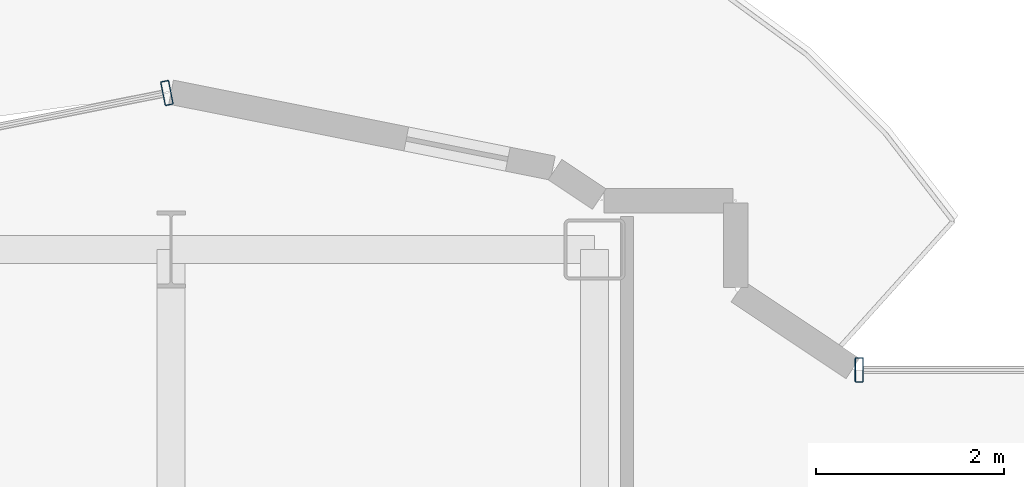
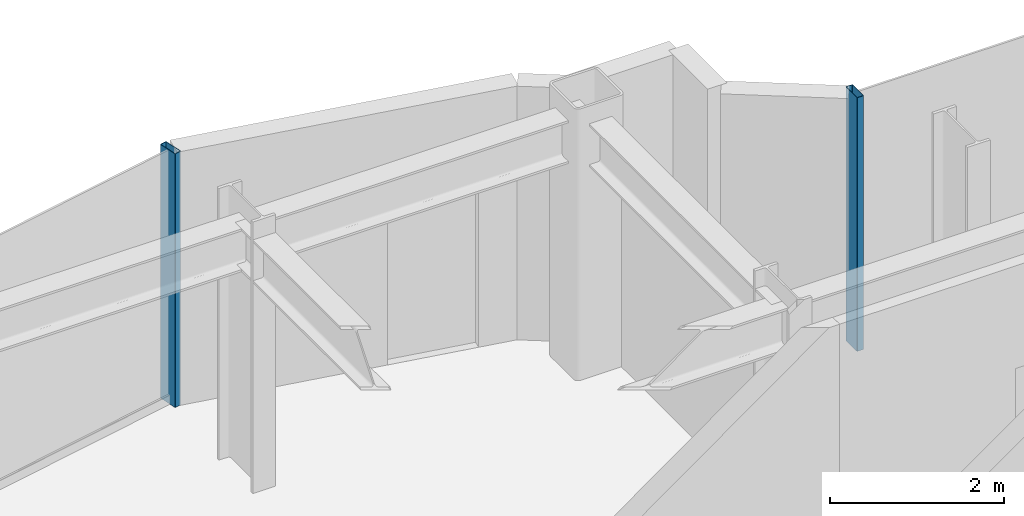
# One storey, part 10 of 21: 2 members, 2 elements without a shape of their own.
"""IFC4 building model written with IfcOpenShell, lengths in metres."""

from ifc_helpers import new_model, si_unit, direction, frame, origin, origin_2d, place, context, subcontext, project, spatial, hollow_rectangle, extrude, source, transform, mapped, material, layer, layer_set, material_profile, profile_set, type_object, element, aggregate, save


model = new_model("IFC4")

# Units and contexts
model_context = context("Model", 3, precision=1e-05, world=origin(), true_north=direction((0.0, 1.0)))
body_context = subcontext(model_context, "Body", "Model", "MODEL_VIEW")
ifc_project = project(units=[si_unit("LENGTHUNIT", "METRE"), si_unit("AREAUNIT", "SQUARE_METRE"), si_unit("VOLUMEUNIT", "CUBIC_METRE"), si_unit("PLANEANGLEUNIT", "RADIAN"), si_unit("MASSUNIT", "GRAM", prefix="KILO")], contexts=[model_context])

# Site, building, storey
site_placement = place(None, origin())
site = spatial("IfcSite", under=ifc_project, at=site_placement, CompositionType="ELEMENT")
building_placement = place(site_placement, origin())
building = spatial("IfcBuilding", under=site, at=building_placement, Name="Nefas-Gora Pilgrimage Tower", CompositionType="ELEMENT")
storey_placement = place(building_placement, frame((0.0, 0.0, 210.39990234375)))
storey = spatial("IfcBuildingStorey", under=building, at=storey_placement, Name="L52", CompositionType="ELEMENT", Elevation=210.39990234375)

# Curtain wall, member
ifc_material_1 = material(Name="Dark ceramic-fritted solar-control aluminium-glass curtain wall", Category="aluminium")
ifc_layer = layer(ifc_material_1, 0.219970703125)
ifc_layer_set = layer_set([ifc_layer], Name="Dark ceramic-fritted solar-control aluminium-glass curtain wall")
curtain_wall_type = type_object("IfcCurtainWallType", Name="CW-SYS-5", PredefinedType="NOTDEFINED", material=ifc_layer_set)
curtain_wall_1_placement = place(storey_placement, origin())
curtain_wall_1 = element("IfcCurtainWall", 1, at=curtain_wall_1_placement, inside=storey, type_object=curtain_wall_type, Name="L52 Unitised Curtain Wall CW5", PredefinedType="NOTDEFINED")
ifc_material_2 = material(Name="Anodised architectural aluminium", Category="aluminium")
ifc_material_profile = material_profile(ifc_material_2, hollow_rectangle(XDim=0.090087890625, YDim=0.260009765625, WallThickness=0.006103515625, InnerFilletRadius=0.006103515625, OuterFilletRadius=0.011962890625, at=origin_2d()), Name="ALU MULLION 90x260")
ifc_profile_set = profile_set([ifc_material_profile], Name="Anodised architectural aluminium")
member_type = type_object("IfcMemberType", Name="CWM-MUL-5", PredefinedType="MULLION", material=ifc_profile_set)
shared_shape = source(origin(), body_context, "Body", "SweptSolid", [
    extrude(hollow_rectangle(XDim=0.090087890625, YDim=0.260009765625, WallThickness=0.006103515625, InnerFilletRadius=0.006103515625, OuterFilletRadius=0.011962890625, at=origin_2d()), origin(), (0.0, 0.0, 1.0), 3.550048828125),
])
member_1_placement = place(storey_placement, frame((5.06298828125, 21.219970703125, 0.0), z_axis=(0.0, 0.0, 1.0), x_axis=(-1.0, 0.0, 0.0)))
member_1 = element("IfcMember", 2, at=member_1_placement, type_object=member_type, Name="CW5 Mullion 2", PredefinedType="MULLION", context=body_context, shape_type="MappedRepresentation", body=[
    mapped(shared_shape, transform((0.0, 0.0, 0.0), x_axis=(1.0, 0.0, 0.0), y_axis=(0.0, 1.0, 0.0), z_axis=(0.0, 0.0, 1.0), scale=1.0)),
])
aggregate(curtain_wall_1, [member_1])

curtain_wall_2_placement = place(storey_placement, origin())
curtain_wall_2 = element("IfcCurtainWall", 3, at=curtain_wall_2_placement, inside=storey, type_object=curtain_wall_type, Name="L52 Unitised Curtain Wall CW5", PredefinedType="NOTDEFINED")
member_2_placement = place(storey_placement, frame((-2.294189453125, 24.16357421875, 0.0), z_axis=(0.0, 0.0, 1.0), x_axis=(-0.980782896852, -0.195102304554, 0.0)))
member_2 = element("IfcMember", 4, at=member_2_placement, type_object=member_type, Name="CW5 Mullion 1", PredefinedType="MULLION", context=body_context, shape_type="MappedRepresentation", body=[
    mapped(shared_shape, transform((0.0, 0.0, 0.0), x_axis=(1.0, 0.0, 0.0), y_axis=(0.0, 1.0, 0.0), z_axis=(0.0, 0.0, 1.0), scale=1.0)),
])
aggregate(curtain_wall_2, [member_2])

save(model, "model.ifc")
